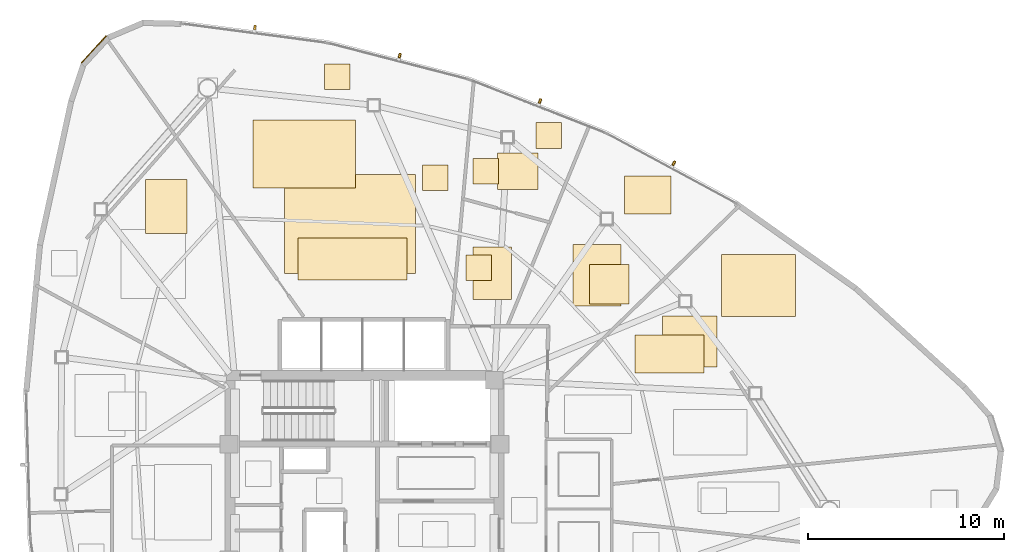
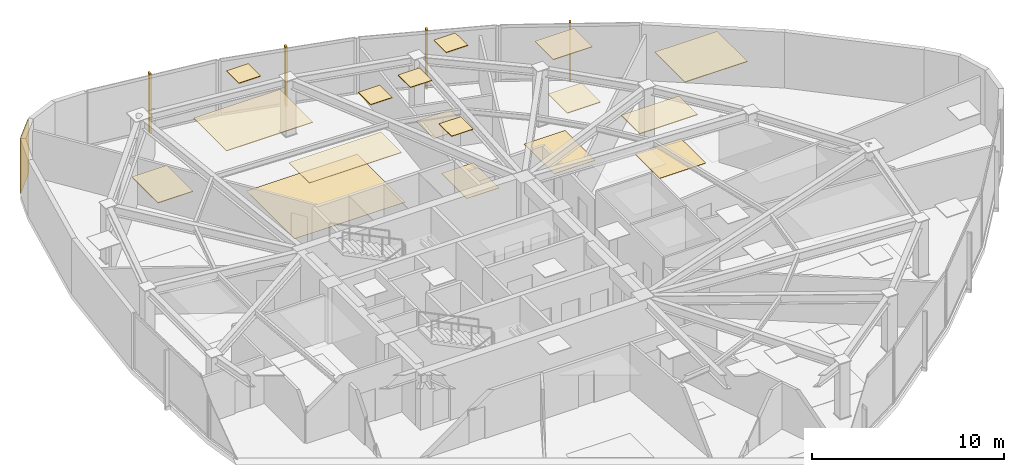
# One storey, part 18 of 18: 18 coverings, 4 shading devices.
"""IFC4 building model written with IfcOpenShell, lengths in metres."""

from ifc_helpers import new_model, si_unit, direction, frame, origin, origin_2d, place, context, subcontext, project, spatial, polyline, rectangle, outline, extrude, source, transform, mapped, material, layer, layer_set, type_object, type_shapes, element, save


model = new_model("IFC4")

# Units and contexts
model_context = context("Model", 3, precision=1e-05, world=origin(), true_north=direction((0.0, 1.0)))
body_context = subcontext(model_context, "Body", "Model", "MODEL_VIEW")
ifc_project = project(units=[si_unit("LENGTHUNIT", "METRE"), si_unit("AREAUNIT", "SQUARE_METRE"), si_unit("VOLUMEUNIT", "CUBIC_METRE"), si_unit("PLANEANGLEUNIT", "RADIAN"), si_unit("MASSUNIT", "GRAM", prefix="KILO")], contexts=[model_context])

# Site, building, storey
site_placement = place(None, origin())
site = spatial("IfcSite", under=ifc_project, at=site_placement, CompositionType="ELEMENT")
building_placement = place(site_placement, origin())
building = spatial("IfcBuilding", under=site, at=building_placement, Name="Tavelor Broadcast Tower", CompositionType="ELEMENT")
storey_placement = place(building_placement, frame((0.0, 0.0, 181.050048828125)))
storey = spatial("IfcBuildingStorey", under=building, at=storey_placement, Name="L43", CompositionType="ELEMENT", Elevation=181.050048828125)

# Coverings
ifc_material_1 = material(Name="Copper-Bronze Anodized Aluminium", Category="aluminium")
ifc_layer_1 = layer(ifc_material_1, 0.050048828125)
ifc_layer_set_1 = layer_set([ifc_layer_1], Name="Copper-Bronze Anodized Aluminium")
covering_type_1 = type_object("IfcCoveringType", Name="Champagne-Bronze Corner Pier Metal Cladding 50 mm", PredefinedType="CLADDING", material=ifc_layer_set_1)
covering_1_placement = place(storey_placement, frame((36.22314453125, 68.048583984375, 0.02001953125), z_axis=(0.0, 0.0, 1.0), x_axis=(-0.678800745533, -0.734322509436, 0.0)))
element("IfcCovering", 1, at=covering_1_placement, inside=storey, type_object=covering_type_1, Name="L43 Champagne-Bronze Corner Cladding 03", PredefinedType="CLADDING", context=body_context, shape_type="SweptSolid", body=[
    extrude(rectangle(XDim=1.87158203125, YDim=0.050048828125, at=origin_2d()), origin(), (0.0, 0.0, 1.0), 3.510009765625),
])
ifc_material_2 = material(Name="Acoustic Nylon Carpet Tile")
ifc_layer_2 = layer(ifc_material_2, 0.02001953125)
ifc_layer_set_2 = layer_set([ifc_layer_2], Name="Acoustic Nylon Carpet Tile")
covering_type_2 = type_object("IfcCoveringType", Name="Heavy-Duty Acoustic Broadcast Carpet Tile 20 mm", PredefinedType="FLOORING", material=ifc_layer_set_2)
covering_2_placement = place(storey_placement, origin())
element("IfcCovering", 2, at=covering_2_placement, inside=storey, type_object=covering_type_2, Name="L43 Broadcast Floor Finish 0647", PredefinedType="FLOORING", context=body_context, shape_type="SweptSolid", body=[
    extrude(outline(polyline([(45.91796875, 56.648193359375), (52.59912109375, 56.648193359375), (52.59912109375, 61.678466796875), (45.91796875, 61.678466796875), (45.91796875, 56.648193359375)])), origin(), (0.0, 0.0, 1.0), 0.02001953125),
])
covering_3_placement = place(storey_placement, origin())
element("IfcCovering", 3, at=covering_3_placement, inside=storey, type_object=covering_type_2, Name="L43 Broadcast Floor Finish 0648", PredefinedType="FLOORING", context=body_context, shape_type="SweptSolid", body=[
    extrude(outline(polyline([(56.77197265625, 60.902587890625), (58.829345703125, 60.902587890625), (58.829345703125, 62.7587890625), (56.77197265625, 62.7587890625), (56.77197265625, 60.902587890625)])), origin(), (0.0, 0.0, 1.0), 0.02001953125),
])
covering_4_placement = place(storey_placement, origin())
element("IfcCovering", 4, at=covering_4_placement, inside=storey, type_object=covering_type_2, Name="L43 Broadcast Floor Finish 0649", PredefinedType="FLOORING", context=body_context, shape_type="SweptSolid", body=[
    extrude(outline(polyline([(60.606201171875, 54.987548828125), (63.064453125, 54.987548828125), (63.064453125, 58.12353515625), (60.606201171875, 58.12353515625), (60.606201171875, 54.987548828125)])), origin(), (0.0, 0.0, 1.0), 0.02001953125),
])
covering_5_placement = place(storey_placement, origin())
element("IfcCovering", 5, at=covering_5_placement, inside=storey, type_object=covering_type_2, Name="L43 Broadcast Floor Finish 0650", PredefinedType="FLOORING", context=body_context, shape_type="SweptSolid", body=[
    extrude(outline(polyline([(65.159423828125, 51.88720703125), (67.94091796875, 51.88720703125), (67.94091796875, 54.486328125), (65.159423828125, 54.486328125), (65.159423828125, 51.88720703125)])), origin(), (0.0, 0.0, 1.0), 0.02001953125),
])
covering_6_placement = place(storey_placement, origin())
element("IfcCovering", 6, at=covering_6_placement, inside=storey, type_object=covering_type_2, Name="L43 Broadcast Floor Finish 0655", PredefinedType="FLOORING", context=body_context, shape_type="SweptSolid", body=[
    extrude(outline(polyline([(55.53125, 55.322509765625), (57.478271484375, 55.322509765625), (57.478271484375, 57.984130859375), (55.53125, 57.984130859375), (55.53125, 55.322509765625)])), origin(), (0.0, 0.0, 1.0), 0.02001953125),
])
ifc_material_3 = material(Name="Acoustic Mineral Fibre Tile")
ifc_layer_3 = layer(ifc_material_3, 0.0400390625)
ifc_layer_set_3 = layer_set([ifc_layer_3], Name="Acoustic Mineral Fibre Tile")
covering_type_3 = type_object("IfcCoveringType", Name="Suspended Acoustic Mineral-Fibre Office Ceiling 40 mm", PredefinedType="CEILING", material=ifc_layer_set_3)
covering_7_placement = place(storey_placement, frame((0.0, 0.0, 3.510009765625)))
element("IfcCovering", 7, at=covering_7_placement, inside=storey, type_object=covering_type_3, Name="L43 Suspended Acoustic Ceiling 1805", PredefinedType="CEILING", context=body_context, shape_type="SweptSolid", body=[
    extrude(outline(polyline([(38.86083984375, 58.68115234375), (40.9658203125, 58.68115234375), (40.9658203125, 61.410400390625), (38.86083984375, 61.410400390625), (38.86083984375, 58.68115234375)])), origin(), (0.0, 0.0, 1.0), 0.0400390625),
])
covering_8_placement = place(storey_placement, frame((0.0, 0.0, 3.510009765625)))
element("IfcCovering", 8, at=covering_8_placement, inside=storey, type_object=covering_type_3, Name="L43 Suspended Acoustic Ceiling 1806", PredefinedType="CEILING", context=body_context, shape_type="SweptSolid", body=[
    extrude(outline(polyline([(47.97119140625, 66.0), (49.271240234375, 66.0), (49.271240234375, 67.300048828125), (47.97119140625, 67.300048828125), (47.97119140625, 66.0)])), origin(), (0.0, 0.0, 1.0), 0.0400390625),
])
covering_9_placement = place(storey_placement, frame((0.0, 0.0, 3.510009765625)))
element("IfcCovering", 9, at=covering_9_placement, inside=storey, type_object=covering_type_3, Name="L43 Suspended Acoustic Ceiling 1807", PredefinedType="CEILING", context=body_context, shape_type="SweptSolid", body=[
    extrude(outline(polyline([(52.942626953125, 60.87060546875), (54.24267578125, 60.87060546875), (54.24267578125, 62.170654296875), (52.942626953125, 62.170654296875), (52.942626953125, 60.87060546875)])), origin(), (0.0, 0.0, 1.0), 0.0400390625),
])
covering_10_placement = place(storey_placement, frame((0.0, 0.0, 3.510009765625)))
element("IfcCovering", 10, at=covering_10_placement, inside=storey, type_object=covering_type_3, Name="L43 Suspended Acoustic Ceiling 1808", PredefinedType="CEILING", context=body_context, shape_type="SweptSolid", body=[
    extrude(outline(polyline([(46.611328125, 56.301025390625), (52.16796875, 56.301025390625), (52.16796875, 58.44970703125), (46.611328125, 58.44970703125), (46.611328125, 56.301025390625)])), origin(), (0.0, 0.0, 1.0), 0.0400390625),
])
covering_11_placement = place(storey_placement, frame((0.0, 0.0, 3.510009765625)))
element("IfcCovering", 11, at=covering_11_placement, inside=storey, type_object=covering_type_3, Name="L43 Suspended Acoustic Ceiling 1809", PredefinedType="CEILING", context=body_context, shape_type="SweptSolid", body=[
    extrude(outline(polyline([(44.328857421875, 60.99951171875), (49.534912109375, 60.99951171875), (49.534912109375, 64.4462890625), (44.328857421875, 64.4462890625), (44.328857421875, 60.99951171875)])), origin(), (0.0, 0.0, 1.0), 0.0400390625),
])
covering_12_placement = place(storey_placement, frame((0.0, 0.0, 3.510009765625)))
element("IfcCovering", 12, at=covering_12_placement, inside=storey, type_object=covering_type_3, Name="L43 Suspended Acoustic Ceiling 1810", PredefinedType="CEILING", context=body_context, shape_type="SweptSolid", body=[
    extrude(outline(polyline([(55.52490234375, 61.19140625), (56.82470703125, 61.19140625), (56.82470703125, 62.491455078125), (55.52490234375, 62.491455078125), (55.52490234375, 61.19140625)])), origin(), (0.0, 0.0, 1.0), 0.0400390625),
])
covering_13_placement = place(storey_placement, frame((0.0, 0.0, 3.510009765625)))
element("IfcCovering", 13, at=covering_13_placement, inside=storey, type_object=covering_type_3, Name="L43 Suspended Acoustic Ceiling 1811", PredefinedType="CEILING", context=body_context, shape_type="SweptSolid", body=[
    extrude(outline(polyline([(58.7294921875, 63.011962890625), (60.029296875, 63.011962890625), (60.029296875, 64.31201171875), (58.7294921875, 64.31201171875), (58.7294921875, 63.011962890625)])), origin(), (0.0, 0.0, 1.0), 0.0400390625),
])
covering_14_placement = place(storey_placement, frame((0.0, 0.0, 3.510009765625)))
element("IfcCovering", 14, at=covering_14_placement, inside=storey, type_object=covering_type_3, Name="L43 Suspended Acoustic Ceiling 1812", PredefinedType="CEILING", context=body_context, shape_type="SweptSolid", body=[
    extrude(outline(polyline([(63.2421875, 59.655517578125), (65.604248046875, 59.655517578125), (65.604248046875, 61.58837890625), (63.2421875, 61.58837890625), (63.2421875, 59.655517578125)])), origin(), (0.0, 0.0, 1.0), 0.0400390625),
])
covering_15_placement = place(storey_placement, frame((0.0, 0.0, 3.510009765625)))
element("IfcCovering", 15, at=covering_15_placement, inside=storey, type_object=covering_type_3, Name="L43 Suspended Acoustic Ceiling 1813", PredefinedType="CEILING", context=body_context, shape_type="SweptSolid", body=[
    extrude(outline(polyline([(61.44189453125, 55.076904296875), (63.4501953125, 55.076904296875), (63.4501953125, 57.08984375), (61.44189453125, 57.08984375), (61.44189453125, 55.076904296875)])), origin(), (0.0, 0.0, 1.0), 0.0400390625),
])
covering_16_placement = place(storey_placement, frame((0.0, 0.0, 3.510009765625)))
element("IfcCovering", 16, at=covering_16_placement, inside=storey, type_object=covering_type_3, Name="L43 Suspended Acoustic Ceiling 1815", PredefinedType="CEILING", context=body_context, shape_type="SweptSolid", body=[
    extrude(outline(polyline([(63.7802734375, 51.56298828125), (67.27490234375, 51.56298828125), (67.27490234375, 53.514404296875), (63.7802734375, 53.514404296875), (63.7802734375, 51.56298828125)])), origin(), (0.0, 0.0, 1.0), 0.0400390625),
])
covering_17_placement = place(storey_placement, frame((0.0, 0.0, 3.510009765625)))
element("IfcCovering", 17, at=covering_17_placement, inside=storey, type_object=covering_type_3, Name="L43 Suspended Acoustic Ceiling 1816", PredefinedType="CEILING", context=body_context, shape_type="SweptSolid", body=[
    extrude(outline(polyline([(68.16455078125, 54.45166015625), (71.93359375, 54.45166015625), (71.93359375, 57.609130859375), (68.16455078125, 57.609130859375), (68.16455078125, 54.45166015625)])), origin(), (0.0, 0.0, 1.0), 0.0400390625),
])
covering_18_placement = place(storey_placement, frame((0.0, 0.0, 3.510009765625)))
element("IfcCovering", 18, at=covering_18_placement, inside=storey, type_object=covering_type_3, Name="L43 Suspended Acoustic Ceiling 1828", PredefinedType="CEILING", context=body_context, shape_type="SweptSolid", body=[
    extrude(outline(polyline([(55.165283203125, 56.272705078125), (56.46533203125, 56.272705078125), (56.46533203125, 57.572509765625), (55.165283203125, 57.572509765625), (55.165283203125, 56.272705078125)])), origin(), (0.0, 0.0, 1.0), 0.0400390625),
])

# Shading devices
ifc_material_4 = material(Name="Kiln-Fired Glazed Terracotta", Category="masonry")
shading_device_type = type_object("IfcShadingDeviceType", Name="Extruded Terracotta Baguette Sun-Screen 110x240", PredefinedType="JALOUSIE", material=ifc_material_4)
shared_shape = source(origin(), body_context, "Body", "SweptSolid", [
    extrude(rectangle(XDim=0.110107421875, YDim=0.239990234375, at=origin_2d()), origin(), (0.0, 0.0, 1.0), 3.7900390625),
])
type_shapes(shading_device_type, [shared_shape])
for number, where, z_axis, x_axis, name in (
    (19, (65.748291015625, 62.2529296875, -0.260009765625), (0.0, 0.0, 1.0), (-0.879814543441, 0.475317124823, 0.0), "L43 Terracotta Baguette Fin 453"),
    (20, (58.936279296875, 65.4150390625, -0.260009765625), (0.0, 0.0, 1.0), (-0.930928393117, 0.365201761892, 0.0), "L43 Terracotta Baguette Fin 454"),
    (21, (51.791748046875, 67.7294921875, -0.260009765625), (0.0, 0.0, 1.0), (-0.968278606324, 0.249873048837, 0.0), "L43 Terracotta Baguette Fin 455"),
    (22, (44.419677734375, 69.162353515625, -0.260009765625), (0.0, 0.0, 1.0), (-0.991399238736, 0.130872263805, 0.0), "L43 Terracotta Baguette Fin 456"),
):
    element("IfcShadingDevice", number, at=place(storey_placement, frame(where, z_axis=z_axis, x_axis=x_axis)), inside=storey, type_object=shading_device_type, Name=name, PredefinedType="JALOUSIE", context=body_context, shape_type="MappedRepresentation", body=[
        mapped(shared_shape, transform((0.0, 0.0, 0.0), scale=1.0)),
    ])

save(model, "model.ifc")
